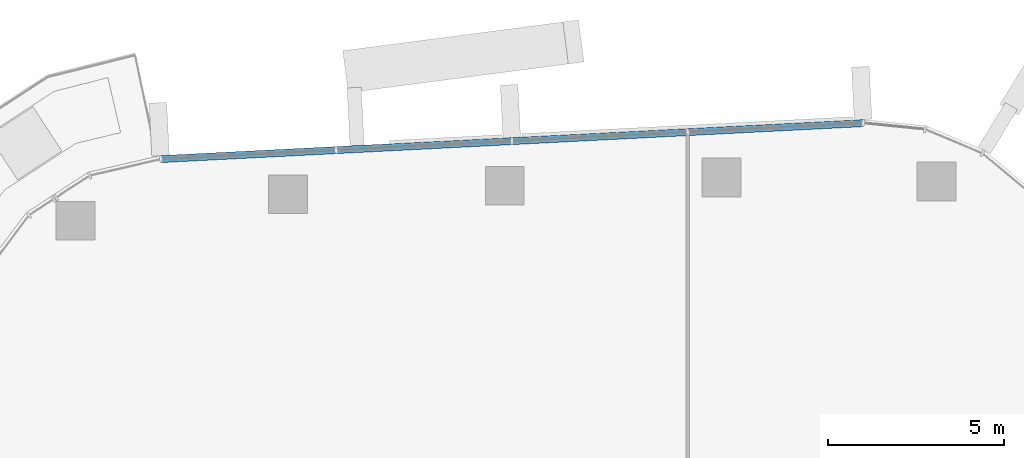
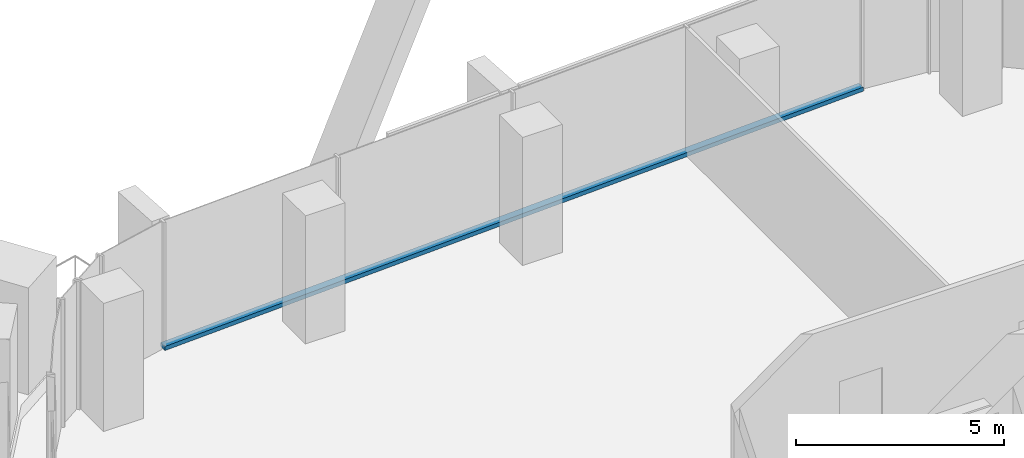
# One storey, part 6 of 20: 1 member, 1 element without a shape of its own.
"""IFC4 building model written with IfcOpenShell, lengths in metres."""

from ifc_helpers import new_model, si_unit, direction, frame, origin, origin_2d, place, context, subcontext, project, spatial, rectangle, extrude, material, layer, layer_set, material_profile, profile_set, type_object, element, aggregate, save


model = new_model("IFC4")

# Units and contexts
model_context = context("Model", 3, precision=1e-05, world=origin(), true_north=direction((0.0, 1.0)))
body_context = subcontext(model_context, "Body", "Model", "MODEL_VIEW")
ifc_project = project(units=[si_unit("LENGTHUNIT", "METRE"), si_unit("AREAUNIT", "SQUARE_METRE"), si_unit("VOLUMEUNIT", "CUBIC_METRE"), si_unit("PLANEANGLEUNIT", "RADIAN"), si_unit("MASSUNIT", "GRAM", prefix="KILO")], contexts=[model_context])

# Site, building, storey
site_placement = place(None, origin())
site = spatial("IfcSite", under=ifc_project, at=site_placement, CompositionType="ELEMENT")
building_placement = place(site_placement, origin())
building = spatial("IfcBuilding", under=site, at=building_placement, Name="Dongbaek Canopy Tower", CompositionType="ELEMENT")
storey_placement = place(building_placement, frame((0.0, 0.0, 228.60009765625)))
storey = spatial("IfcBuildingStorey", under=building, at=storey_placement, Name="L47", CompositionType="ELEMENT", Elevation=228.60009765625)

# Curtain wall, member
ifc_material_1 = material(Name="Aluminium 6063-T6 pale anodised", Category="aluminium")
ifc_layer = layer(ifc_material_1, 0.199951171875)
ifc_layer_set = layer_set([ifc_layer], Name="CW-1 unitised tower curtain wall")
curtain_wall_type = type_object("IfcCurtainWallType", Name="CW-1 unitised tower curtain wall", PredefinedType="NOTDEFINED", material=ifc_layer_set)
curtain_wall_placement = place(storey_placement, origin())
curtain_wall = element("IfcCurtainWall", 1, at=curtain_wall_placement, inside=storey, type_object=curtain_wall_type, Name="CW-1 curtain wall F1.1", PredefinedType="NOTDEFINED")
ifc_material_2 = material(Name="Aluminium 6063-T6 pale anodised", Category="aluminium")
ifc_material_profile = material_profile(ifc_material_2, rectangle(XDim=0.199951171875, YDim=0.1201171875, at=origin_2d()), Name="CW-1 transom 120 x 200")
ifc_profile_set = profile_set([ifc_material_profile], Name="Aluminium 6063-T6 pale anodised")
member_type = type_object("IfcMemberType", Name="CW-1 transom 120 x 200", PredefinedType="USERDEFINED", material=ifc_profile_set)
member_placement = place(storey_placement, frame((8.908447265625, 26.258544921875, 0.059814453125), z_axis=(-0.998690084747, -0.051167515365, 0.0), x_axis=(0.051167515365, -0.998690084747, 0.0)))
member = element("IfcMember", 2, at=member_placement, type_object=member_type, Name="CW-1 transom F1.1.1", ObjectType="TRANSOM", PredefinedType="USERDEFINED", context=body_context, shape_type="SweptSolid", body=[
    extrude(rectangle(XDim=0.199951171875, YDim=0.1201171875, at=origin_2d()), origin(), (0.0, 0.0, 1.0), 19.958740234375),
])
aggregate(curtain_wall, [member])

save(model, "model.ifc")
